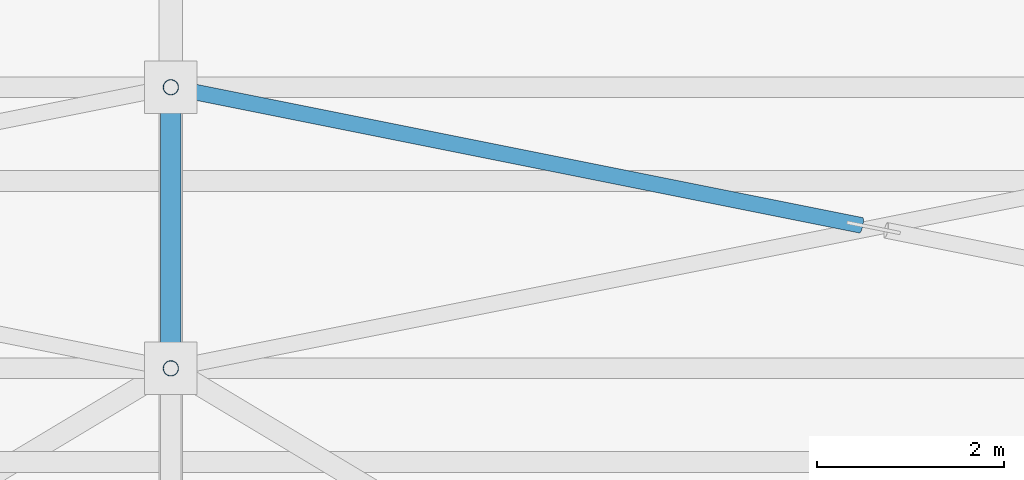
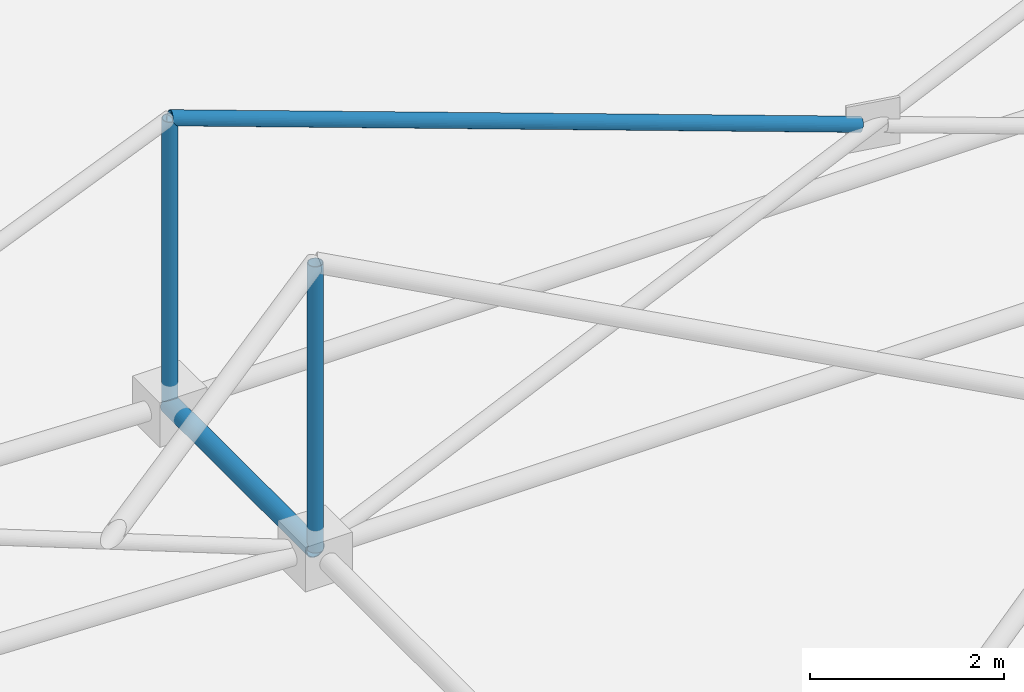
# One storey, part 93 of 224: 4 members.
"""IFC4 building model written with IfcOpenShell, lengths in metres."""

from ifc_helpers import new_model, si_unit, direction, frame, origin, origin_2d, place, context, subcontext, project, spatial, hollow_circle, extrude, material, material_profile, profile_set, type_object, element, save


model = new_model("IFC4")

# Units and contexts
model_context = context("Model", 3, precision=1e-05, world=origin(), true_north=direction((0.0, 1.0)))
body_context = subcontext(model_context, "Body", "Model", "MODEL_VIEW")
ifc_project = project(units=[si_unit("LENGTHUNIT", "METRE"), si_unit("AREAUNIT", "SQUARE_METRE"), si_unit("VOLUMEUNIT", "CUBIC_METRE"), si_unit("PLANEANGLEUNIT", "RADIAN"), si_unit("MASSUNIT", "GRAM", prefix="KILO")], contexts=[model_context])

# Site, building, storey
site_placement = place(None, origin())
site = spatial("IfcSite", under=ifc_project, at=site_placement, CompositionType="ELEMENT")
building_placement = place(site_placement, origin())
building = spatial("IfcBuilding", under=site, at=building_placement, Name="Qamarlyn Nura Convention Centre", CompositionType="ELEMENT")
storey_placement = place(building_placement, frame((0.0, 0.0, 10.800048828125)))
storey = spatial("IfcBuildingStorey", under=building, at=storey_placement, Name="L02", CompositionType="ELEMENT", Elevation=10.800048828125)

# Members
ifc_material = material(Name="Pearl-white PVDF steel ASTM A500 Grade C", Category="steel")
ifc_material_profile_1 = material_profile(ifc_material, hollow_circle(Radius=0.109619140625, WallThickness=0.010009765625, at=origin_2d()), Name="CHS219.1X10")
ifc_profile_set_1 = profile_set([ifc_material_profile_1], Name="Pearl-white PVDF steel ASTM A500 Grade C")
member_type_1 = type_object("IfcMemberType", Name="SF-BC-EAVE", PredefinedType="CHORD", material=ifc_profile_set_1)
member_1_placement = place(storey_placement, frame((45.0, 112.0, 0.800048828125), z_axis=(0.0, 1.0, 0.0), x_axis=(-1.0, 0.0, 0.0)))
element("IfcMember", 1, at=member_1_placement, inside=storey, type_object=member_type_1, Name="ROOF TRUSS space frame bottom chord Y5-8", PredefinedType="CHORD", context=body_context, shape_type="SweptSolid", body=[
    extrude(hollow_circle(Radius=0.109619140625, WallThickness=0.010009765625, at=origin_2d()), origin(), (0.0, 0.0, 1.0), 3.0),
])
ifc_material_profile_2 = material_profile(ifc_material, hollow_circle(Radius=0.084228515625, WallThickness=0.008056640625, at=origin_2d()), Name="CHS168.3X8")
ifc_profile_set_2 = profile_set([ifc_material_profile_2], Name="Pearl-white PVDF steel ASTM A500 Grade C")
member_type_2 = type_object("IfcMemberType", Name="SF-WEB-STD", PredefinedType="BRACE", material=ifc_profile_set_2)
member_2_placement = place(storey_placement, frame((45.0, 112.0, 0.800048828125), z_axis=(0.0, 0.0, 1.0), x_axis=(1.0, 0.0, 0.0)))
element("IfcMember", 2, at=member_2_placement, inside=storey, type_object=member_type_2, Name="ROOF TRUSS space frame vertical 5-8", PredefinedType="BRACE", context=body_context, shape_type="SweptSolid", body=[
    extrude(hollow_circle(Radius=0.084228515625, WallThickness=0.008056640625, at=origin_2d()), origin(), (0.0, 0.0, 1.0), 3.599853515625),
])
member_3_placement = place(storey_placement, frame((52.366455078125, 113.526611328125, 2.632080078125), z_axis=(-0.954505726398, 0.190913799053, 0.229064924431), x_axis=(-0.196128634557, -0.980578175724, 0.0)))
element("IfcMember", 3, at=member_3_placement, inside=storey, type_object=member_type_2, Name="ROOF TRUSS space frame split diagonal B2 5-8", PredefinedType="BRACE", context=body_context, shape_type="SweptSolid", body=[
    extrude(hollow_circle(Radius=0.084228515625, WallThickness=0.008056640625, at=origin_2d()), origin(), (0.0, 0.0, 1.0), 7.717529296875),
])
member_4_placement = place(storey_placement, frame((45.0, 115.0, 0.800048828125), z_axis=(0.0, 0.0, 1.0), x_axis=(1.0, 0.0, 0.0)))
element("IfcMember", 4, at=member_4_placement, inside=storey, type_object=member_type_2, Name="ROOF TRUSS space frame vertical 5-9", PredefinedType="BRACE", context=body_context, shape_type="SweptSolid", body=[
    extrude(hollow_circle(Radius=0.084228515625, WallThickness=0.008056640625, at=origin_2d()), origin(), (0.0, 0.0, 1.0), 3.599853515625),
])

save(model, "model.ifc")
